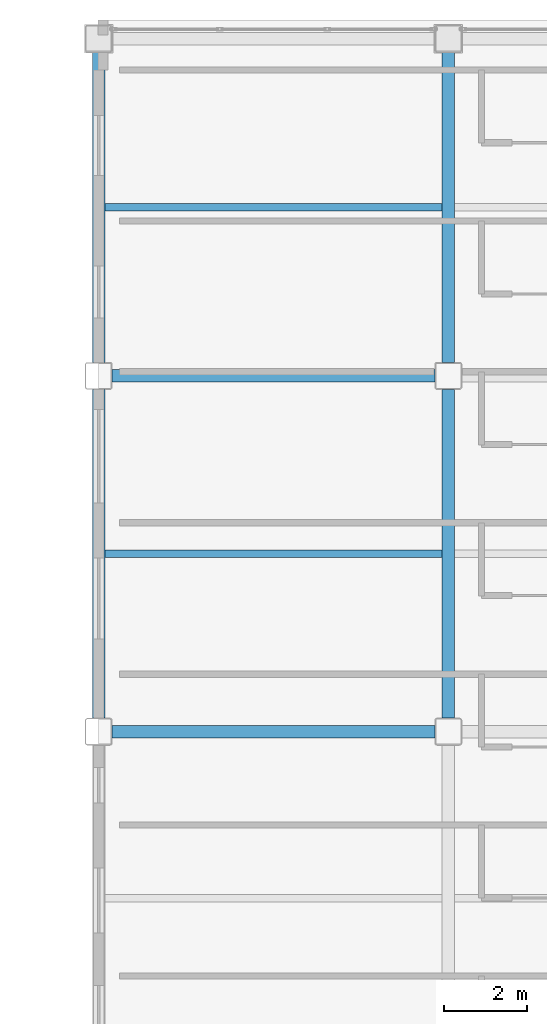
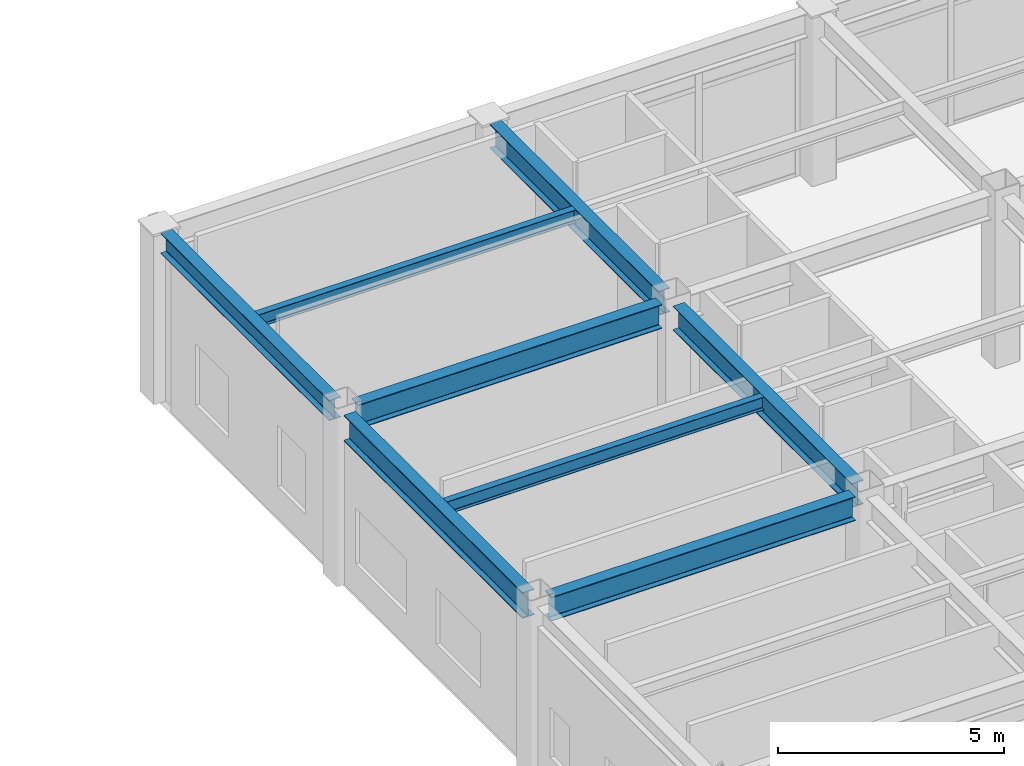
# One storey, part 36 of 61: 8 beams.
"""IFC4 building model written with IfcOpenShell, lengths in metres."""

from ifc_helpers import new_model, si_unit, direction, frame, origin, origin_2d, place, context, subcontext, project, spatial, i_section, extrude, material, material_profile, profile_set, type_object, element, save


model = new_model("IFC4")

# Units and contexts
model_context = context("Model", 3, precision=1e-05, world=origin(), true_north=direction((0.0, 1.0)))
body_context = subcontext(model_context, "Body", "Model", "MODEL_VIEW")
ifc_project = project(units=[si_unit("LENGTHUNIT", "METRE"), si_unit("AREAUNIT", "SQUARE_METRE"), si_unit("VOLUMEUNIT", "CUBIC_METRE"), si_unit("PLANEANGLEUNIT", "RADIAN"), si_unit("MASSUNIT", "GRAM", prefix="KILO")], contexts=[model_context])

# Site, building, storey
site_placement = place(None, origin())
site = spatial("IfcSite", under=ifc_project, at=site_placement, CompositionType="ELEMENT")
building_placement = place(site_placement, origin())
building = spatial("IfcBuilding", under=site, at=building_placement, Name="Kazehara Bluff Congress Hotel", CompositionType="ELEMENT")
storey_placement = place(building_placement, frame((0.0, 0.0, 19.800048828125)))
storey = spatial("IfcBuildingStorey", under=building, at=storey_placement, Name="L04", CompositionType="ELEMENT", Elevation=19.800048828125)

# Beams
ifc_material_1 = material(Name="Steel SN490B", Category="steel")
ifc_material_profile_1 = material_profile(ifc_material_1, i_section(OverallWidth=0.300048828125, OverallDepth=0.64990234375, WebThickness=0.011962890625, FlangeThickness=0.02001953125, FilletRadius=0.012939453125, at=origin_2d()))
ifc_profile_set_1 = profile_set([ifc_material_profile_1], Name="Steel SN490B")
beam_type_1 = type_object("IfcBeamType", Name="TP-G-03", PredefinedType="BEAM", material=ifc_profile_set_1)
beam_1_placement = place(storey_placement, frame((152.10009765625, 97.22509765625, 4.2548828125), z_axis=(0.0, 1.0, 0.0), x_axis=(-1.0, 0.0, 0.0)))
element("IfcBeam", 1, at=beam_1_placement, inside=storey, type_object=beam_type_1, Name="L04 girder G-03 54", PredefinedType="BEAM", context=body_context, shape_type="SweptSolid", body=[
    extrude(i_section(OverallWidth=0.300048828125, OverallDepth=0.64990234375, WebThickness=0.011962890625, FlangeThickness=0.02001953125, FilletRadius=0.012939453125, at=origin_2d()), origin(), (0.0, 0.0, 1.0), 7.89990234375),
])
beam_2_placement = place(storey_placement, frame((152.10009765625, 105.77490234375, 4.2548828125), z_axis=(0.0, 1.0, 0.0), x_axis=(-1.0, 0.0, 0.0)))
element("IfcBeam", 2, at=beam_2_placement, inside=storey, type_object=beam_type_1, Name="L04 girder G-03 55", PredefinedType="BEAM", context=body_context, shape_type="SweptSolid", body=[
    extrude(i_section(OverallWidth=0.300048828125, OverallDepth=0.64990234375, WebThickness=0.011962890625, FlangeThickness=0.02001953125, FilletRadius=0.012939453125, at=origin_2d()), origin(), (0.0, 0.0, 1.0), 7.4501953125),
])
for number, where, z_axis, x_axis, name in (
    (3, (144.02490234375, 96.89990234375, 4.2548828125), (1.0, 0.0, 0.0), (0.0, 1.0, 0.0), "L04 girder G-03 110"),
    (4, (144.02490234375, 105.449951171875, 4.2548828125), (1.0, 0.0, 0.0), (0.0, 1.0, 0.0), "L04 girder G-03 113"),
):
    element("IfcBeam", number, at=place(storey_placement, frame(where, z_axis=z_axis, x_axis=x_axis)), inside=storey, type_object=beam_type_1, Name=name, PredefinedType="BEAM", context=body_context, shape_type="SweptSolid", body=[
        extrude(i_section(OverallWidth=0.300048828125, OverallDepth=0.64990234375, WebThickness=0.011962890625, FlangeThickness=0.02001953125, FilletRadius=0.012939453125, at=origin_2d()), origin(), (0.0, 0.0, 1.0), 7.75),
    ])
ifc_material_2 = material(Name="Steel SN400B", Category="steel")
ifc_material_profile_2 = material_profile(ifc_material_2, i_section(OverallWidth=0.175048828125, OverallDepth=0.35009765625, WebThickness=0.007080078125, FlangeThickness=0.010986328125, FilletRadius=0.012939453125, at=origin_2d()))
ifc_profile_set_2 = profile_set([ifc_material_profile_2], Name="Steel SN400B")
beam_type_2 = type_object("IfcBeamType", Name="TP-J-02", PredefinedType="JOIST", material=ifc_profile_set_2)
for number, where, z_axis, x_axis, name in (
    (5, (143.85009765625, 101.175048828125, 4.405029296875), (1.0, 0.0, 0.0), (0.0, 1.0, 0.0), "L04 secondary joist J-02 19"),
    (6, (143.85009765625, 109.5, 4.405029296875), (1.0, 0.0, 0.0), (0.0, 1.0, 0.0), "L04 secondary joist J-02 20"),
):
    element("IfcBeam", number, at=place(storey_placement, frame(where, z_axis=z_axis, x_axis=x_axis)), inside=storey, type_object=beam_type_2, Name=name, PredefinedType="JOIST", context=body_context, shape_type="SweptSolid", body=[
        extrude(i_section(OverallWidth=0.175048828125, OverallDepth=0.35009765625, WebThickness=0.007080078125, FlangeThickness=0.010986328125, FilletRadius=0.012939453125, at=origin_2d()), origin(), (0.0, 0.0, 1.0), 8.099853515625),
    ])
ifc_material_3 = material(Name="Steel SN490B", Category="steel")
ifc_material_profile_3 = material_profile(ifc_material_3, i_section(OverallWidth=0.300048828125, OverallDepth=0.550048828125, WebThickness=0.010986328125, FlangeThickness=0.01806640625, FilletRadius=0.012939453125, at=origin_2d()))
ifc_profile_set_3 = profile_set([ifc_material_profile_3], Name="Steel SN490B")
beam_type_3 = type_object("IfcBeamType", Name="TP-SP-01", PredefinedType="SPANDREL", material=ifc_profile_set_3)
beam_3_placement = place(storey_placement, frame((143.699951171875, 105.77490234375, 4.304931640625), z_axis=(0.0, 1.0, 0.0), x_axis=(-1.0, 0.0, 0.0)))
element("IfcBeam", 7, at=beam_3_placement, inside=storey, type_object=beam_type_3, Name="L04 girder SP-01 43", PredefinedType="SPANDREL", context=body_context, shape_type="SweptSolid", body=[
    extrude(i_section(OverallWidth=0.300048828125, OverallDepth=0.550048828125, WebThickness=0.010986328125, FlangeThickness=0.01806640625, FilletRadius=0.012939453125, at=origin_2d()), origin(), (0.0, 0.0, 1.0), 7.4501953125),
])
ifc_material_4 = material(Name="Steel SN490B", Category="steel")
ifc_material_profile_4 = material_profile(ifc_material_4, i_section(OverallWidth=0.300048828125, OverallDepth=0.699951171875, WebThickness=0.012939453125, FlangeThickness=0.02392578125, FilletRadius=0.01806640625, at=origin_2d()))
ifc_profile_set_4 = profile_set([ifc_material_profile_4], Name="Steel SN490B")
beam_type_4 = type_object("IfcBeamType", Name="TP-SP-03", PredefinedType="SPANDREL", material=ifc_profile_set_4)
beam_4_placement = place(storey_placement, frame((143.699951171875, 97.22509765625, 4.22998046875), z_axis=(0.0, 1.0, 0.0), x_axis=(-1.0, 0.0, 0.0)))
element("IfcBeam", 8, at=beam_4_placement, inside=storey, type_object=beam_type_4, Name="L04 girder SP-03 42", PredefinedType="SPANDREL", context=body_context, shape_type="SweptSolid", body=[
    extrude(i_section(OverallWidth=0.300048828125, OverallDepth=0.699951171875, WebThickness=0.012939453125, FlangeThickness=0.02392578125, FilletRadius=0.01806640625, at=origin_2d()), origin(), (0.0, 0.0, 1.0), 7.89990234375),
])

save(model, "model.ifc")
